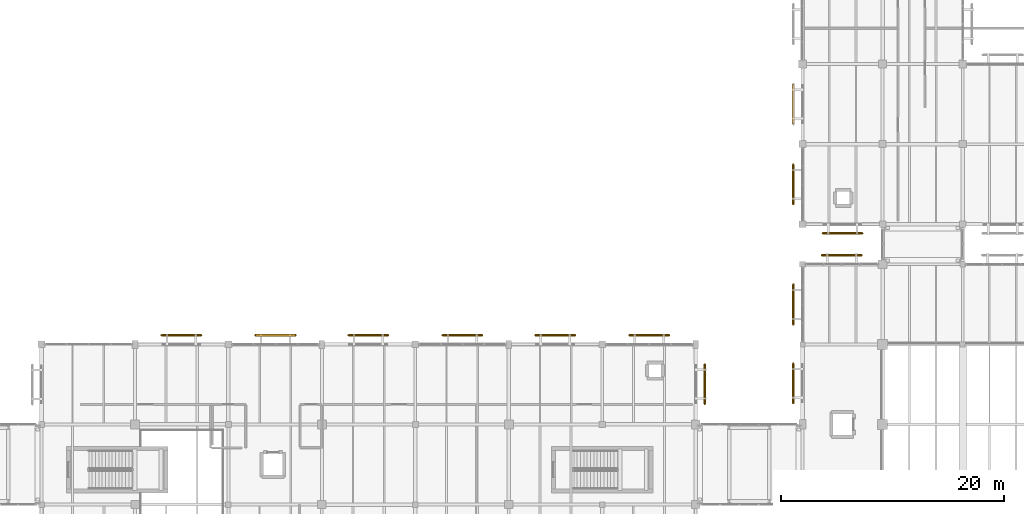
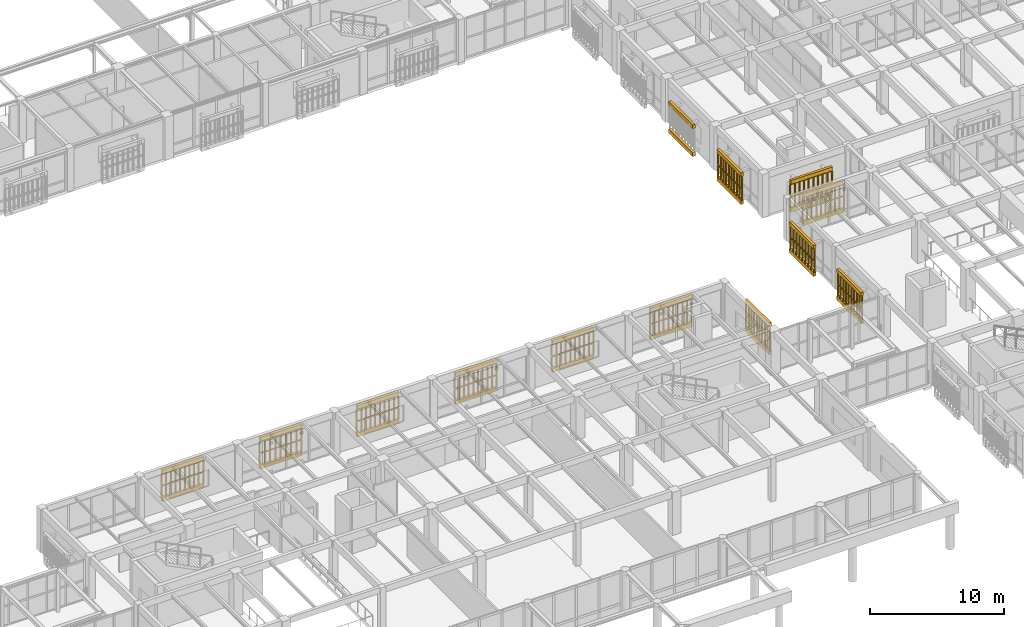
# One storey, part 155 of 170: 26 coverings, 24 railings.
"""IFC4 building model written with IfcOpenShell, lengths in metres."""

from ifc_helpers import new_model, si_unit, direction, frame, origin, origin_2d, place, context, subcontext, project, spatial, polyline, circle, outline, extrude, material, layer, layer_set, type_object, element, save


model = new_model("IFC4")

# Units and contexts
model_context = context("Model", 3, precision=1e-05, world=origin(), true_north=direction((0.0, 1.0)))
body_context = subcontext(model_context, "Body", "Model", "MODEL_VIEW")
ifc_project = project(units=[si_unit("LENGTHUNIT", "METRE"), si_unit("AREAUNIT", "SQUARE_METRE"), si_unit("VOLUMEUNIT", "CUBIC_METRE"), si_unit("PLANEANGLEUNIT", "RADIAN"), si_unit("MASSUNIT", "GRAM", prefix="KILO")], contexts=[model_context])

# Site, building, storey
site_placement = place(None, origin())
site = spatial("IfcSite", under=ifc_project, at=site_placement, CompositionType="ELEMENT")
building_placement = place(site_placement, origin())
building = spatial("IfcBuilding", under=site, at=building_placement, Name="Mazaris Harbour Polytechnic", CompositionType="ELEMENT")
storey_placement = place(building_placement, frame((0.0, 0.0, 5.39990234375)))
storey = spatial("IfcBuildingStorey", under=building, at=storey_placement, Name="L01", CompositionType="ELEMENT", Elevation=5.39990234375)

# Railings
ifc_material_1 = material(Name="Perforated Earth-Coloured Terracotta Block", Category="masonry")
railing_type = type_object("IfcRailingType", Name="Perforated Earth-Block Claustra Lattice 1040", PredefinedType="BALUSTRADE", material=ifc_material_1)
for number, where, name in (
    (1, (124.125, 44.02001953125, 0.52001953125), "V2 L01 Lower Perforated Terracotta Block Screen 52"),
    (2, (124.125, 44.02001953125, 1.610107421875), "V2 L01 Upper Perforated Terracotta Block Screen 52"),
):
    element("IfcRailing", number, at=place(storey_placement, frame(where)), inside=storey, type_object=railing_type, Name=name, PredefinedType="BALUSTRADE", context=body_context, shape_type="SweptSolid", body=[
        extrude(circle(Radius=0.06982421875, at=origin_2d()), frame((0.0, 0.0, 1.02001953125), z_axis=(1.0, 0.0, 0.0), x_axis=(0.0, 1.0, 0.0)), (0.0, 0.0, 1.0), 3.60009765625),
        extrude(circle(Radius=0.074951171875, at=origin_2d()), origin(), (0.0, 0.0, 1.0), 0.9501953125),
        extrude(circle(Radius=0.074951171875, at=origin_2d()), frame((0.39990234375, 0.0, 0.0)), (0.0, 0.0, 1.0), 0.9501953125),
        extrude(circle(Radius=0.074951171875, at=origin_2d()), frame((0.800048828125, 0.0, 0.0)), (0.0, 0.0, 1.0), 0.9501953125),
        extrude(circle(Radius=0.074951171875, at=origin_2d()), frame((1.199951171875, 0.0, 0.0)), (0.0, 0.0, 1.0), 0.9501953125),
        extrude(circle(Radius=0.074951171875, at=origin_2d()), frame((1.60009765625, 0.0, 0.0)), (0.0, 0.0, 1.0), 0.9501953125),
        extrude(circle(Radius=0.074951171875, at=origin_2d()), frame((2.0, 0.0, 0.0)), (0.0, 0.0, 1.0), 0.9501953125),
        extrude(circle(Radius=0.074951171875, at=origin_2d()), frame((2.400146484375, 0.0, 0.0)), (0.0, 0.0, 1.0), 0.9501953125),
        extrude(circle(Radius=0.074951171875, at=origin_2d()), frame((2.800048828125, 0.0, 0.0)), (0.0, 0.0, 1.0), 0.9501953125),
        extrude(circle(Radius=0.074951171875, at=origin_2d()), frame((3.2001953125, 0.0, 0.0)), (0.0, 0.0, 1.0), 0.9501953125),
        extrude(circle(Radius=0.074951171875, at=origin_2d()), frame((3.60009765625, 0.0, 0.0)), (0.0, 0.0, 1.0), 0.9501953125),
    ])
for number, where, name in (
    (3, (121.580078125, 30.699951171875, 0.52001953125), "V2 L01 Lower Perforated Terracotta Block Screen 60"),
    (4, (121.580078125, 30.699951171875, 1.585205078125), "V2 L01 Upper Perforated Terracotta Block Screen 60"),
):
    element("IfcRailing", number, at=place(storey_placement, frame(where)), inside=storey, type_object=railing_type, Name=name, PredefinedType="BALUSTRADE", context=body_context, shape_type="SweptSolid", body=[
        extrude(circle(Radius=0.06982421875, at=origin_2d()), frame((0.0, 0.0, 0.9951171875), z_axis=(0.0, 1.0, 0.0), x_axis=(-1.0, 0.0, 0.0)), (0.0, 0.0, 1.0), 3.60009765625),
        extrude(circle(Radius=0.074951171875, at=origin_2d()), origin(), (0.0, 0.0, 1.0), 0.925048828125),
        extrude(circle(Radius=0.074951171875, at=origin_2d()), frame((0.0, 0.39990234375, 0.0)), (0.0, 0.0, 1.0), 0.925048828125),
        extrude(circle(Radius=0.074951171875, at=origin_2d()), frame((0.0, 0.800048828125, 0.0)), (0.0, 0.0, 1.0), 0.925048828125),
        extrude(circle(Radius=0.074951171875, at=origin_2d()), frame((0.0, 1.199951171875, 0.0)), (0.0, 0.0, 1.0), 0.925048828125),
        extrude(circle(Radius=0.074951171875, at=origin_2d()), frame((0.0, 1.60009765625, 0.0)), (0.0, 0.0, 1.0), 0.925048828125),
        extrude(circle(Radius=0.074951171875, at=origin_2d()), frame((0.0, 2.0, 0.0)), (0.0, 0.0, 1.0), 0.925048828125),
        extrude(circle(Radius=0.074951171875, at=origin_2d()), frame((0.0, 2.400146484375, 0.0)), (0.0, 0.0, 1.0), 0.925048828125),
        extrude(circle(Radius=0.074951171875, at=origin_2d()), frame((0.0, 2.800048828125, 0.0)), (0.0, 0.0, 1.0), 0.925048828125),
        extrude(circle(Radius=0.074951171875, at=origin_2d()), frame((0.0, 3.2001953125, 0.0)), (0.0, 0.0, 1.0), 0.925048828125),
        extrude(circle(Radius=0.074951171875, at=origin_2d()), frame((0.0, 3.60009765625, 0.0)), (0.0, 0.0, 1.0), 0.925048828125),
    ])
for number, where, name in (
    (5, (121.580078125, 37.78759765625, 0.52001953125), "V2 L01 Lower Perforated Terracotta Block Screen 61"),
    (6, (121.580078125, 37.78759765625, 1.585205078125), "V2 L01 Upper Perforated Terracotta Block Screen 61"),
):
    element("IfcRailing", number, at=place(storey_placement, frame(where)), inside=storey, type_object=railing_type, Name=name, PredefinedType="BALUSTRADE", context=body_context, shape_type="SweptSolid", body=[
        extrude(circle(Radius=0.06982421875, at=origin_2d()), frame((0.0, 0.0, 0.9951171875), z_axis=(0.0, 1.0, 0.0), x_axis=(-1.0, 0.0, 0.0)), (0.0, 0.0, 1.0), 3.599853515625),
        extrude(circle(Radius=0.074951171875, at=origin_2d()), origin(), (0.0, 0.0, 1.0), 0.925048828125),
        extrude(circle(Radius=0.074951171875, at=origin_2d()), frame((0.0, 0.449951171875, 0.0)), (0.0, 0.0, 1.0), 0.925048828125),
        extrude(circle(Radius=0.074951171875, at=origin_2d()), frame((0.0, 0.89990234375, 0.0)), (0.0, 0.0, 1.0), 0.925048828125),
        extrude(circle(Radius=0.074951171875, at=origin_2d()), frame((0.0, 1.349853515625, 0.0)), (0.0, 0.0, 1.0), 0.925048828125),
        extrude(circle(Radius=0.074951171875, at=origin_2d()), frame((0.0, 1.7998046875, 0.0)), (0.0, 0.0, 1.0), 0.925048828125),
        extrude(circle(Radius=0.074951171875, at=origin_2d()), frame((0.0, 2.25, 0.0)), (0.0, 0.0, 1.0), 0.925048828125),
        extrude(circle(Radius=0.074951171875, at=origin_2d()), frame((0.0, 2.699951171875, 0.0)), (0.0, 0.0, 1.0), 0.925048828125),
        extrude(circle(Radius=0.074951171875, at=origin_2d()), frame((0.0, 3.14990234375, 0.0)), (0.0, 0.0, 1.0), 0.925048828125),
        extrude(circle(Radius=0.074951171875, at=origin_2d()), frame((0.0, 3.599853515625, 0.0)), (0.0, 0.0, 1.0), 0.925048828125),
    ])
for number, where, name in (
    (7, (64.77490234375, 36.820068359375, 0.52001953125), "V3 L01 Lower Perforated Terracotta Block Screen 110"),
    (8, (64.77490234375, 36.820068359375, 1.610107421875), "V3 L01 Upper Perforated Terracotta Block Screen 110"),
):
    element("IfcRailing", number, at=place(storey_placement, frame(where)), inside=storey, type_object=railing_type, Name=name, PredefinedType="BALUSTRADE", context=body_context, shape_type="SweptSolid", body=[
        extrude(circle(Radius=0.06982421875, at=origin_2d()), frame((0.0, 0.0, 1.02001953125), z_axis=(1.0, 0.0, 0.0), x_axis=(0.0, 1.0, 0.0)), (0.0, 0.0, 1.0), 3.60009765625),
        extrude(circle(Radius=0.074951171875, at=origin_2d()), origin(), (0.0, 0.0, 1.0), 0.9501953125),
        extrude(circle(Radius=0.074951171875, at=origin_2d()), frame((0.39990234375, 0.0, 0.0)), (0.0, 0.0, 1.0), 0.9501953125),
        extrude(circle(Radius=0.074951171875, at=origin_2d()), frame((0.800048828125, 0.0, 0.0)), (0.0, 0.0, 1.0), 0.9501953125),
        extrude(circle(Radius=0.074951171875, at=origin_2d()), frame((1.199951171875, 0.0, 0.0)), (0.0, 0.0, 1.0), 0.9501953125),
        extrude(circle(Radius=0.074951171875, at=origin_2d()), frame((1.60009765625, 0.0, 0.0)), (0.0, 0.0, 1.0), 0.9501953125),
        extrude(circle(Radius=0.074951171875, at=origin_2d()), frame((2.0, 0.0, 0.0)), (0.0, 0.0, 1.0), 0.9501953125),
        extrude(circle(Radius=0.074951171875, at=origin_2d()), frame((2.400146484375, 0.0, 0.0)), (0.0, 0.0, 1.0), 0.9501953125),
        extrude(circle(Radius=0.074951171875, at=origin_2d()), frame((2.800048828125, 0.0, 0.0)), (0.0, 0.0, 1.0), 0.9501953125),
        extrude(circle(Radius=0.074951171875, at=origin_2d()), frame((3.2001953125, 0.0, 0.0)), (0.0, 0.0, 1.0), 0.9501953125),
        extrude(circle(Radius=0.074951171875, at=origin_2d()), frame((3.60009765625, 0.0, 0.0)), (0.0, 0.0, 1.0), 0.9501953125),
    ])
for number, where, name in (
    (9, (73.22509765625, 36.820068359375, 0.52001953125), "V3 L01 Lower Perforated Terracotta Block Screen 111"),
    (10, (73.22509765625, 36.820068359375, 1.610107421875), "V3 L01 Upper Perforated Terracotta Block Screen 111"),
):
    element("IfcRailing", number, at=place(storey_placement, frame(where)), inside=storey, type_object=railing_type, Name=name, PredefinedType="BALUSTRADE", context=body_context, shape_type="SweptSolid", body=[
        extrude(circle(Radius=0.06982421875, at=origin_2d()), frame((0.0, 0.0, 1.02001953125), z_axis=(1.0, 0.0, 0.0), x_axis=(0.0, 1.0, 0.0)), (0.0, 0.0, 1.0), 3.599853515625),
        extrude(circle(Radius=0.074951171875, at=origin_2d()), origin(), (0.0, 0.0, 1.0), 0.9501953125),
        extrude(circle(Radius=0.074951171875, at=origin_2d()), frame((0.449951171875, 0.0, 0.0)), (0.0, 0.0, 1.0), 0.9501953125),
        extrude(circle(Radius=0.074951171875, at=origin_2d()), frame((0.89990234375, 0.0, 0.0)), (0.0, 0.0, 1.0), 0.9501953125),
        extrude(circle(Radius=0.074951171875, at=origin_2d()), frame((1.349853515625, 0.0, 0.0)), (0.0, 0.0, 1.0), 0.9501953125),
        extrude(circle(Radius=0.074951171875, at=origin_2d()), frame((1.7998046875, 0.0, 0.0)), (0.0, 0.0, 1.0), 0.9501953125),
        extrude(circle(Radius=0.074951171875, at=origin_2d()), frame((2.25, 0.0, 0.0)), (0.0, 0.0, 1.0), 0.9501953125),
        extrude(circle(Radius=0.074951171875, at=origin_2d()), frame((2.699951171875, 0.0, 0.0)), (0.0, 0.0, 1.0), 0.9501953125),
        extrude(circle(Radius=0.074951171875, at=origin_2d()), frame((3.14990234375, 0.0, 0.0)), (0.0, 0.0, 1.0), 0.9501953125),
        extrude(circle(Radius=0.074951171875, at=origin_2d()), frame((3.599853515625, 0.0, 0.0)), (0.0, 0.0, 1.0), 0.9501953125),
    ])
for number, where, name in (
    (11, (81.574951171875, 36.820068359375, 0.52001953125), "V3 L01 Lower Perforated Terracotta Block Screen 112"),
    (12, (81.574951171875, 36.820068359375, 1.610107421875), "V3 L01 Upper Perforated Terracotta Block Screen 112"),
    (13, (90.02490234375, 36.820068359375, 0.52001953125), "V3 L01 Lower Perforated Terracotta Block Screen 113"),
    (14, (90.02490234375, 36.820068359375, 1.610107421875), "V3 L01 Upper Perforated Terracotta Block Screen 113"),
    (15, (98.375, 36.820068359375, 0.52001953125), "V3 L01 Lower Perforated Terracotta Block Screen 114"),
    (16, (98.375, 36.820068359375, 1.610107421875), "V3 L01 Upper Perforated Terracotta Block Screen 114"),
    (17, (106.824951171875, 36.820068359375, 0.52001953125), "V3 L01 Lower Perforated Terracotta Block Screen 115"),
    (18, (106.824951171875, 36.820068359375, 1.610107421875), "V3 L01 Upper Perforated Terracotta Block Screen 115"),
):
    element("IfcRailing", number, at=place(storey_placement, frame(where)), inside=storey, type_object=railing_type, Name=name, PredefinedType="BALUSTRADE", context=body_context, shape_type="SweptSolid", body=[
        extrude(circle(Radius=0.06982421875, at=origin_2d()), frame((0.0, 0.0, 1.02001953125), z_axis=(1.0, 0.0, 0.0), x_axis=(0.0, 1.0, 0.0)), (0.0, 0.0, 1.0), 3.60009765625),
        extrude(circle(Radius=0.074951171875, at=origin_2d()), origin(), (0.0, 0.0, 1.0), 0.9501953125),
        extrude(circle(Radius=0.074951171875, at=origin_2d()), frame((0.39990234375, 0.0, 0.0)), (0.0, 0.0, 1.0), 0.9501953125),
        extrude(circle(Radius=0.074951171875, at=origin_2d()), frame((0.800048828125, 0.0, 0.0)), (0.0, 0.0, 1.0), 0.9501953125),
        extrude(circle(Radius=0.074951171875, at=origin_2d()), frame((1.199951171875, 0.0, 0.0)), (0.0, 0.0, 1.0), 0.9501953125),
        extrude(circle(Radius=0.074951171875, at=origin_2d()), frame((1.60009765625, 0.0, 0.0)), (0.0, 0.0, 1.0), 0.9501953125),
        extrude(circle(Radius=0.074951171875, at=origin_2d()), frame((2.0, 0.0, 0.0)), (0.0, 0.0, 1.0), 0.9501953125),
        extrude(circle(Radius=0.074951171875, at=origin_2d()), frame((2.400146484375, 0.0, 0.0)), (0.0, 0.0, 1.0), 0.9501953125),
        extrude(circle(Radius=0.074951171875, at=origin_2d()), frame((2.800048828125, 0.0, 0.0)), (0.0, 0.0, 1.0), 0.9501953125),
        extrude(circle(Radius=0.074951171875, at=origin_2d()), frame((3.2001953125, 0.0, 0.0)), (0.0, 0.0, 1.0), 0.9501953125),
        extrude(circle(Radius=0.074951171875, at=origin_2d()), frame((3.60009765625, 0.0, 0.0)), (0.0, 0.0, 1.0), 0.9501953125),
    ])
for number, where, name in (
    (19, (113.6201171875, 34.22509765625, 0.52001953125), "V3 L01 Lower Perforated Terracotta Block Screen 121"),
    (20, (113.6201171875, 34.22509765625, 1.610107421875), "V3 L01 Upper Perforated Terracotta Block Screen 121"),
):
    element("IfcRailing", number, at=place(storey_placement, frame(where)), inside=storey, type_object=railing_type, Name=name, PredefinedType="BALUSTRADE", context=body_context, shape_type="SweptSolid", body=[
        extrude(circle(Radius=0.06982421875, at=origin_2d()), frame((0.0, 0.0, 1.02001953125), z_axis=(0.0, -1.0, 0.0), x_axis=(1.0, 0.0, 0.0)), (0.0, 0.0, 1.0), 3.60009765625),
        extrude(circle(Radius=0.074951171875, at=origin_2d()), origin(), (0.0, 0.0, 1.0), 0.9501953125),
        extrude(circle(Radius=0.074951171875, at=origin_2d()), frame((0.0, -0.39990234375, 0.0)), (0.0, 0.0, 1.0), 0.9501953125),
        extrude(circle(Radius=0.074951171875, at=origin_2d()), frame((0.0, -0.800048828125, 0.0)), (0.0, 0.0, 1.0), 0.9501953125),
        extrude(circle(Radius=0.074951171875, at=origin_2d()), frame((0.0, -1.199951171875, 0.0)), (0.0, 0.0, 1.0), 0.9501953125),
        extrude(circle(Radius=0.074951171875, at=origin_2d()), frame((0.0, -1.60009765625, 0.0)), (0.0, 0.0, 1.0), 0.9501953125),
        extrude(circle(Radius=0.074951171875, at=origin_2d()), frame((0.0, -2.0, 0.0)), (0.0, 0.0, 1.0), 0.9501953125),
        extrude(circle(Radius=0.074951171875, at=origin_2d()), frame((0.0, -2.400146484375, 0.0)), (0.0, 0.0, 1.0), 0.9501953125),
        extrude(circle(Radius=0.074951171875, at=origin_2d()), frame((0.0, -2.800048828125, 0.0)), (0.0, 0.0, 1.0), 0.9501953125),
        extrude(circle(Radius=0.074951171875, at=origin_2d()), frame((0.0, -3.2001953125, 0.0)), (0.0, 0.0, 1.0), 0.9501953125),
        extrude(circle(Radius=0.074951171875, at=origin_2d()), frame((0.0, -3.60009765625, 0.0)), (0.0, 0.0, 1.0), 0.9501953125),
    ])
for number, where, name in (
    (21, (127.800048828125, 45.97998046875, 0.52001953125), "V5 L01 Lower Perforated Terracotta Block Screen 366"),
    (22, (127.800048828125, 45.97998046875, 1.610107421875), "V5 L01 Upper Perforated Terracotta Block Screen 366"),
):
    element("IfcRailing", number, at=place(storey_placement, frame(where)), inside=storey, type_object=railing_type, Name=name, PredefinedType="BALUSTRADE", context=body_context, shape_type="SweptSolid", body=[
        extrude(circle(Radius=0.06982421875, at=origin_2d()), frame((0.0, 0.0, 1.02001953125), z_axis=(-1.0, 0.0, 0.0), x_axis=(0.0, -1.0, 0.0)), (0.0, 0.0, 1.0), 3.60009765625),
        extrude(circle(Radius=0.074951171875, at=origin_2d()), origin(), (0.0, 0.0, 1.0), 0.9501953125),
        extrude(circle(Radius=0.074951171875, at=origin_2d()), frame((-0.39990234375, 0.0, 0.0)), (0.0, 0.0, 1.0), 0.9501953125),
        extrude(circle(Radius=0.074951171875, at=origin_2d()), frame((-0.800048828125, 0.0, 0.0)), (0.0, 0.0, 1.0), 0.9501953125),
        extrude(circle(Radius=0.074951171875, at=origin_2d()), frame((-1.199951171875, 0.0, 0.0)), (0.0, 0.0, 1.0), 0.9501953125),
        extrude(circle(Radius=0.074951171875, at=origin_2d()), frame((-1.60009765625, 0.0, 0.0)), (0.0, 0.0, 1.0), 0.9501953125),
        extrude(circle(Radius=0.074951171875, at=origin_2d()), frame((-2.0, 0.0, 0.0)), (0.0, 0.0, 1.0), 0.9501953125),
        extrude(circle(Radius=0.074951171875, at=origin_2d()), frame((-2.400146484375, 0.0, 0.0)), (0.0, 0.0, 1.0), 0.9501953125),
        extrude(circle(Radius=0.074951171875, at=origin_2d()), frame((-2.800048828125, 0.0, 0.0)), (0.0, 0.0, 1.0), 0.9501953125),
        extrude(circle(Radius=0.074951171875, at=origin_2d()), frame((-3.2001953125, 0.0, 0.0)), (0.0, 0.0, 1.0), 0.9501953125),
        extrude(circle(Radius=0.074951171875, at=origin_2d()), frame((-3.60009765625, 0.0, 0.0)), (0.0, 0.0, 1.0), 0.9501953125),
    ])
for number, where, name in (
    (23, (121.580078125, 48.58740234375, 0.52001953125), "V5 L01 Lower Perforated Terracotta Block Screen 379"),
    (24, (121.580078125, 48.58740234375, 1.610107421875), "V5 L01 Upper Perforated Terracotta Block Screen 379"),
):
    element("IfcRailing", number, at=place(storey_placement, frame(where)), inside=storey, type_object=railing_type, Name=name, PredefinedType="BALUSTRADE", context=body_context, shape_type="SweptSolid", body=[
        extrude(circle(Radius=0.06982421875, at=origin_2d()), frame((0.0, 0.0, 1.02001953125), z_axis=(0.0, 1.0, 0.0), x_axis=(-1.0, 0.0, 0.0)), (0.0, 0.0, 1.0), 3.60009765625),
        extrude(circle(Radius=0.074951171875, at=origin_2d()), origin(), (0.0, 0.0, 1.0), 0.9501953125),
        extrude(circle(Radius=0.074951171875, at=origin_2d()), frame((0.0, 0.39990234375, 0.0)), (0.0, 0.0, 1.0), 0.9501953125),
        extrude(circle(Radius=0.074951171875, at=origin_2d()), frame((0.0, 0.800048828125, 0.0)), (0.0, 0.0, 1.0), 0.9501953125),
        extrude(circle(Radius=0.074951171875, at=origin_2d()), frame((0.0, 1.199951171875, 0.0)), (0.0, 0.0, 1.0), 0.9501953125),
        extrude(circle(Radius=0.074951171875, at=origin_2d()), frame((0.0, 1.60009765625, 0.0)), (0.0, 0.0, 1.0), 0.9501953125),
        extrude(circle(Radius=0.074951171875, at=origin_2d()), frame((0.0, 2.0, 0.0)), (0.0, 0.0, 1.0), 0.9501953125),
        extrude(circle(Radius=0.074951171875, at=origin_2d()), frame((0.0, 2.400146484375, 0.0)), (0.0, 0.0, 1.0), 0.9501953125),
        extrude(circle(Radius=0.074951171875, at=origin_2d()), frame((0.0, 2.800048828125, 0.0)), (0.0, 0.0, 1.0), 0.9501953125),
        extrude(circle(Radius=0.074951171875, at=origin_2d()), frame((0.0, 3.2001953125, 0.0)), (0.0, 0.0, 1.0), 0.9501953125),
        extrude(circle(Radius=0.074951171875, at=origin_2d()), frame((0.0, 3.60009765625, 0.0)), (0.0, 0.0, 1.0), 0.9501953125),
    ])

# Coverings
ifc_material_2 = material(Name="Perforated Earth-Coloured Terracotta Block", Category="masonry")
ifc_layer = layer(ifc_material_2, 0.219970703125, Name="Perforated Earth-Coloured Terracotta Block")
ifc_layer_set = layer_set([ifc_layer], Name="Perforated Earth-Coloured Terracotta Block")
covering_type = type_object("IfcCoveringType", Name="Terracotta Screen Course Cladding 220", PredefinedType="CLADDING", material=ifc_layer_set)
covering_1_placement = place(storey_placement, frame((0.0, 0.0, 0.16015625)))
element("IfcCovering", 25, at=covering_1_placement, inside=storey, type_object=covering_type, Name="V2 L01 Perforated Screen Sill Course 52", PredefinedType="CLADDING", context=body_context, shape_type="SweptSolid", body=[
    extrude(outline(polyline([(124.125, 43.909912109375), (127.72509765625, 43.909912109375), (127.72509765625, 44.1298828125), (124.125, 44.1298828125), (124.125, 43.909912109375)])), origin(), (0.0, 0.0, 1.0), 0.35986328125),
])
covering_2_placement = place(storey_placement, frame((0.0, 0.0, 2.7001953125)))
element("IfcCovering", 26, at=covering_2_placement, inside=storey, type_object=covering_type, Name="V2 L01 Perforated Screen Lintel Course 52", PredefinedType="CLADDING", context=body_context, shape_type="SweptSolid", body=[
    extrude(outline(polyline([(124.125, 43.909912109375), (127.72509765625, 43.909912109375), (127.72509765625, 44.1298828125), (124.125, 44.1298828125), (124.125, 43.909912109375)])), origin(), (0.0, 0.0, 1.0), 0.33984375),
])
covering_3_placement = place(storey_placement, frame((0.0, 0.0, 0.16015625)))
element("IfcCovering", 27, at=covering_3_placement, inside=storey, type_object=covering_type, Name="V2 L01 Perforated Screen Sill Course 60", PredefinedType="CLADDING", context=body_context, shape_type="SweptSolid", body=[
    extrude(outline(polyline([(121.68994140625, 30.699951171875), (121.68994140625, 34.300048828125), (121.469970703125, 34.300048828125), (121.469970703125, 30.699951171875), (121.68994140625, 30.699951171875)])), origin(), (0.0, 0.0, 1.0), 0.35986328125),
])
covering_4_placement = place(storey_placement, frame((0.0, 0.0, 2.650146484375)))
element("IfcCovering", 28, at=covering_4_placement, inside=storey, type_object=covering_type, Name="V2 L01 Perforated Screen Lintel Course 60", PredefinedType="CLADDING", context=body_context, shape_type="SweptSolid", body=[
    extrude(outline(polyline([(121.68994140625, 30.699951171875), (121.68994140625, 34.300048828125), (121.469970703125, 34.300048828125), (121.469970703125, 30.699951171875), (121.68994140625, 30.699951171875)])), origin(), (0.0, 0.0, 1.0), 0.33984375),
])
covering_5_placement = place(storey_placement, frame((0.0, 0.0, 0.16015625)))
element("IfcCovering", 29, at=covering_5_placement, inside=storey, type_object=covering_type, Name="V2 L01 Perforated Screen Sill Course 61", PredefinedType="CLADDING", context=body_context, shape_type="SweptSolid", body=[
    extrude(outline(polyline([(121.68994140625, 37.78759765625), (121.68994140625, 41.387451171875), (121.469970703125, 41.387451171875), (121.469970703125, 37.78759765625), (121.68994140625, 37.78759765625)])), origin(), (0.0, 0.0, 1.0), 0.35986328125),
])
covering_6_placement = place(storey_placement, frame((0.0, 0.0, 2.650146484375)))
element("IfcCovering", 30, at=covering_6_placement, inside=storey, type_object=covering_type, Name="V2 L01 Perforated Screen Lintel Course 61", PredefinedType="CLADDING", context=body_context, shape_type="SweptSolid", body=[
    extrude(outline(polyline([(121.68994140625, 37.78759765625), (121.68994140625, 41.387451171875), (121.469970703125, 41.387451171875), (121.469970703125, 37.78759765625), (121.68994140625, 37.78759765625)])), origin(), (0.0, 0.0, 1.0), 0.33984375),
])
covering_7_placement = place(storey_placement, frame((0.0, 0.0, 0.16015625)))
element("IfcCovering", 31, at=covering_7_placement, inside=storey, type_object=covering_type, Name="V3 L01 Perforated Screen Sill Course 110", PredefinedType="CLADDING", context=body_context, shape_type="SweptSolid", body=[
    extrude(outline(polyline([(64.77490234375, 36.7099609375), (68.375, 36.7099609375), (68.375, 36.929931640625), (64.77490234375, 36.929931640625), (64.77490234375, 36.7099609375)])), origin(), (0.0, 0.0, 1.0), 0.35986328125),
])
covering_8_placement = place(storey_placement, frame((0.0, 0.0, 2.7001953125)))
element("IfcCovering", 32, at=covering_8_placement, inside=storey, type_object=covering_type, Name="V3 L01 Perforated Screen Lintel Course 110", PredefinedType="CLADDING", context=body_context, shape_type="SweptSolid", body=[
    extrude(outline(polyline([(64.77490234375, 36.7099609375), (68.375, 36.7099609375), (68.375, 36.929931640625), (64.77490234375, 36.929931640625), (64.77490234375, 36.7099609375)])), origin(), (0.0, 0.0, 1.0), 0.33984375),
])
covering_9_placement = place(storey_placement, frame((0.0, 0.0, 0.16015625)))
element("IfcCovering", 33, at=covering_9_placement, inside=storey, type_object=covering_type, Name="V3 L01 Perforated Screen Sill Course 111", PredefinedType="CLADDING", context=body_context, shape_type="SweptSolid", body=[
    extrude(outline(polyline([(73.22509765625, 36.7099609375), (76.824951171875, 36.7099609375), (76.824951171875, 36.929931640625), (73.22509765625, 36.929931640625), (73.22509765625, 36.7099609375)])), origin(), (0.0, 0.0, 1.0), 0.35986328125),
])
covering_10_placement = place(storey_placement, frame((0.0, 0.0, 2.7001953125)))
element("IfcCovering", 34, at=covering_10_placement, inside=storey, type_object=covering_type, Name="V3 L01 Perforated Screen Lintel Course 111", PredefinedType="CLADDING", context=body_context, shape_type="SweptSolid", body=[
    extrude(outline(polyline([(73.22509765625, 36.7099609375), (76.824951171875, 36.7099609375), (76.824951171875, 36.929931640625), (73.22509765625, 36.929931640625), (73.22509765625, 36.7099609375)])), origin(), (0.0, 0.0, 1.0), 0.33984375),
])
covering_11_placement = place(storey_placement, frame((0.0, 0.0, 0.16015625)))
element("IfcCovering", 35, at=covering_11_placement, inside=storey, type_object=covering_type, Name="V3 L01 Perforated Screen Sill Course 112", PredefinedType="CLADDING", context=body_context, shape_type="SweptSolid", body=[
    extrude(outline(polyline([(81.574951171875, 36.7099609375), (85.175048828125, 36.7099609375), (85.175048828125, 36.929931640625), (81.574951171875, 36.929931640625), (81.574951171875, 36.7099609375)])), origin(), (0.0, 0.0, 1.0), 0.35986328125),
])
covering_12_placement = place(storey_placement, frame((0.0, 0.0, 2.7001953125)))
element("IfcCovering", 36, at=covering_12_placement, inside=storey, type_object=covering_type, Name="V3 L01 Perforated Screen Lintel Course 112", PredefinedType="CLADDING", context=body_context, shape_type="SweptSolid", body=[
    extrude(outline(polyline([(81.574951171875, 36.7099609375), (85.175048828125, 36.7099609375), (85.175048828125, 36.929931640625), (81.574951171875, 36.929931640625), (81.574951171875, 36.7099609375)])), origin(), (0.0, 0.0, 1.0), 0.33984375),
])
covering_13_placement = place(storey_placement, frame((0.0, 0.0, 0.16015625)))
element("IfcCovering", 37, at=covering_13_placement, inside=storey, type_object=covering_type, Name="V3 L01 Perforated Screen Sill Course 113", PredefinedType="CLADDING", context=body_context, shape_type="SweptSolid", body=[
    extrude(outline(polyline([(90.02490234375, 36.7099609375), (93.625, 36.7099609375), (93.625, 36.929931640625), (90.02490234375, 36.929931640625), (90.02490234375, 36.7099609375)])), origin(), (0.0, 0.0, 1.0), 0.35986328125),
])
covering_14_placement = place(storey_placement, frame((0.0, 0.0, 2.7001953125)))
element("IfcCovering", 38, at=covering_14_placement, inside=storey, type_object=covering_type, Name="V3 L01 Perforated Screen Lintel Course 113", PredefinedType="CLADDING", context=body_context, shape_type="SweptSolid", body=[
    extrude(outline(polyline([(90.02490234375, 36.7099609375), (93.625, 36.7099609375), (93.625, 36.929931640625), (90.02490234375, 36.929931640625), (90.02490234375, 36.7099609375)])), origin(), (0.0, 0.0, 1.0), 0.33984375),
])
covering_15_placement = place(storey_placement, frame((0.0, 0.0, 0.16015625)))
element("IfcCovering", 39, at=covering_15_placement, inside=storey, type_object=covering_type, Name="V3 L01 Perforated Screen Sill Course 114", PredefinedType="CLADDING", context=body_context, shape_type="SweptSolid", body=[
    extrude(outline(polyline([(98.375, 36.7099609375), (101.97509765625, 36.7099609375), (101.97509765625, 36.929931640625), (98.375, 36.929931640625), (98.375, 36.7099609375)])), origin(), (0.0, 0.0, 1.0), 0.35986328125),
])
covering_16_placement = place(storey_placement, frame((0.0, 0.0, 2.7001953125)))
element("IfcCovering", 40, at=covering_16_placement, inside=storey, type_object=covering_type, Name="V3 L01 Perforated Screen Lintel Course 114", PredefinedType="CLADDING", context=body_context, shape_type="SweptSolid", body=[
    extrude(outline(polyline([(98.375, 36.7099609375), (101.97509765625, 36.7099609375), (101.97509765625, 36.929931640625), (98.375, 36.929931640625), (98.375, 36.7099609375)])), origin(), (0.0, 0.0, 1.0), 0.33984375),
])
covering_17_placement = place(storey_placement, frame((0.0, 0.0, 0.16015625)))
element("IfcCovering", 41, at=covering_17_placement, inside=storey, type_object=covering_type, Name="V3 L01 Perforated Screen Sill Course 115", PredefinedType="CLADDING", context=body_context, shape_type="SweptSolid", body=[
    extrude(outline(polyline([(106.824951171875, 36.7099609375), (110.425048828125, 36.7099609375), (110.425048828125, 36.929931640625), (106.824951171875, 36.929931640625), (106.824951171875, 36.7099609375)])), origin(), (0.0, 0.0, 1.0), 0.35986328125),
])
covering_18_placement = place(storey_placement, frame((0.0, 0.0, 2.7001953125)))
element("IfcCovering", 42, at=covering_18_placement, inside=storey, type_object=covering_type, Name="V3 L01 Perforated Screen Lintel Course 115", PredefinedType="CLADDING", context=body_context, shape_type="SweptSolid", body=[
    extrude(outline(polyline([(106.824951171875, 36.7099609375), (110.425048828125, 36.7099609375), (110.425048828125, 36.929931640625), (106.824951171875, 36.929931640625), (106.824951171875, 36.7099609375)])), origin(), (0.0, 0.0, 1.0), 0.33984375),
])
covering_19_placement = place(storey_placement, frame((0.0, 0.0, 0.16015625)))
element("IfcCovering", 43, at=covering_19_placement, inside=storey, type_object=covering_type, Name="V3 L01 Perforated Screen Sill Course 121", PredefinedType="CLADDING", context=body_context, shape_type="SweptSolid", body=[
    extrude(outline(polyline([(113.510009765625, 34.22509765625), (113.510009765625, 30.625), (113.72998046875, 30.625), (113.72998046875, 34.22509765625), (113.510009765625, 34.22509765625)])), origin(), (0.0, 0.0, 1.0), 0.35986328125),
])
covering_20_placement = place(storey_placement, frame((0.0, 0.0, 2.7001953125)))
element("IfcCovering", 44, at=covering_20_placement, inside=storey, type_object=covering_type, Name="V3 L01 Perforated Screen Lintel Course 121", PredefinedType="CLADDING", context=body_context, shape_type="SweptSolid", body=[
    extrude(outline(polyline([(113.510009765625, 34.22509765625), (113.510009765625, 30.625), (113.72998046875, 30.625), (113.72998046875, 34.22509765625), (113.510009765625, 34.22509765625)])), origin(), (0.0, 0.0, 1.0), 0.33984375),
])
covering_21_placement = place(storey_placement, frame((0.0, 0.0, 0.16015625)))
element("IfcCovering", 45, at=covering_21_placement, inside=storey, type_object=covering_type, Name="V5 L01 Perforated Screen Sill Course 366", PredefinedType="CLADDING", context=body_context, shape_type="SweptSolid", body=[
    extrude(outline(polyline([(127.800048828125, 46.090087890625), (124.199951171875, 46.090087890625), (124.199951171875, 45.8701171875), (127.800048828125, 45.8701171875), (127.800048828125, 46.090087890625)])), origin(), (0.0, 0.0, 1.0), 0.35986328125),
])
covering_22_placement = place(storey_placement, frame((0.0, 0.0, 2.7001953125)))
element("IfcCovering", 46, at=covering_22_placement, inside=storey, type_object=covering_type, Name="V5 L01 Perforated Screen Lintel Course 366", PredefinedType="CLADDING", context=body_context, shape_type="SweptSolid", body=[
    extrude(outline(polyline([(127.800048828125, 46.090087890625), (124.199951171875, 46.090087890625), (124.199951171875, 45.8701171875), (127.800048828125, 45.8701171875), (127.800048828125, 46.090087890625)])), origin(), (0.0, 0.0, 1.0), 0.33984375),
])
covering_23_placement = place(storey_placement, frame((0.0, 0.0, 0.16015625)))
element("IfcCovering", 47, at=covering_23_placement, inside=storey, type_object=covering_type, Name="V5 L01 Perforated Screen Sill Course 379", PredefinedType="CLADDING", context=body_context, shape_type="SweptSolid", body=[
    extrude(outline(polyline([(121.68994140625, 48.58740234375), (121.68994140625, 52.1875), (121.469970703125, 52.1875), (121.469970703125, 48.58740234375), (121.68994140625, 48.58740234375)])), origin(), (0.0, 0.0, 1.0), 0.35986328125),
])
covering_24_placement = place(storey_placement, frame((0.0, 0.0, 2.7001953125)))
element("IfcCovering", 48, at=covering_24_placement, inside=storey, type_object=covering_type, Name="V5 L01 Perforated Screen Lintel Course 379", PredefinedType="CLADDING", context=body_context, shape_type="SweptSolid", body=[
    extrude(outline(polyline([(121.68994140625, 48.58740234375), (121.68994140625, 52.1875), (121.469970703125, 52.1875), (121.469970703125, 48.58740234375), (121.68994140625, 48.58740234375)])), origin(), (0.0, 0.0, 1.0), 0.33984375),
])
covering_25_placement = place(storey_placement, frame((0.0, 0.0, 0.16015625)))
element("IfcCovering", 49, at=covering_25_placement, inside=storey, type_object=covering_type, Name="V5 L01 Perforated Screen Sill Course 380", PredefinedType="CLADDING", context=body_context, shape_type="SweptSolid", body=[
    extrude(outline(polyline([(121.68994140625, 55.78759765625), (121.68994140625, 59.387451171875), (121.469970703125, 59.387451171875), (121.469970703125, 55.78759765625), (121.68994140625, 55.78759765625)])), origin(), (0.0, 0.0, 1.0), 0.35986328125),
])
covering_26_placement = place(storey_placement, frame((0.0, 0.0, 2.7001953125)))
element("IfcCovering", 50, at=covering_26_placement, inside=storey, type_object=covering_type, Name="V5 L01 Perforated Screen Lintel Course 380", PredefinedType="CLADDING", context=body_context, shape_type="SweptSolid", body=[
    extrude(outline(polyline([(121.68994140625, 55.78759765625), (121.68994140625, 59.387451171875), (121.469970703125, 59.387451171875), (121.469970703125, 55.78759765625), (121.68994140625, 55.78759765625)])), origin(), (0.0, 0.0, 1.0), 0.33984375),
])

save(model, "model.ifc")
